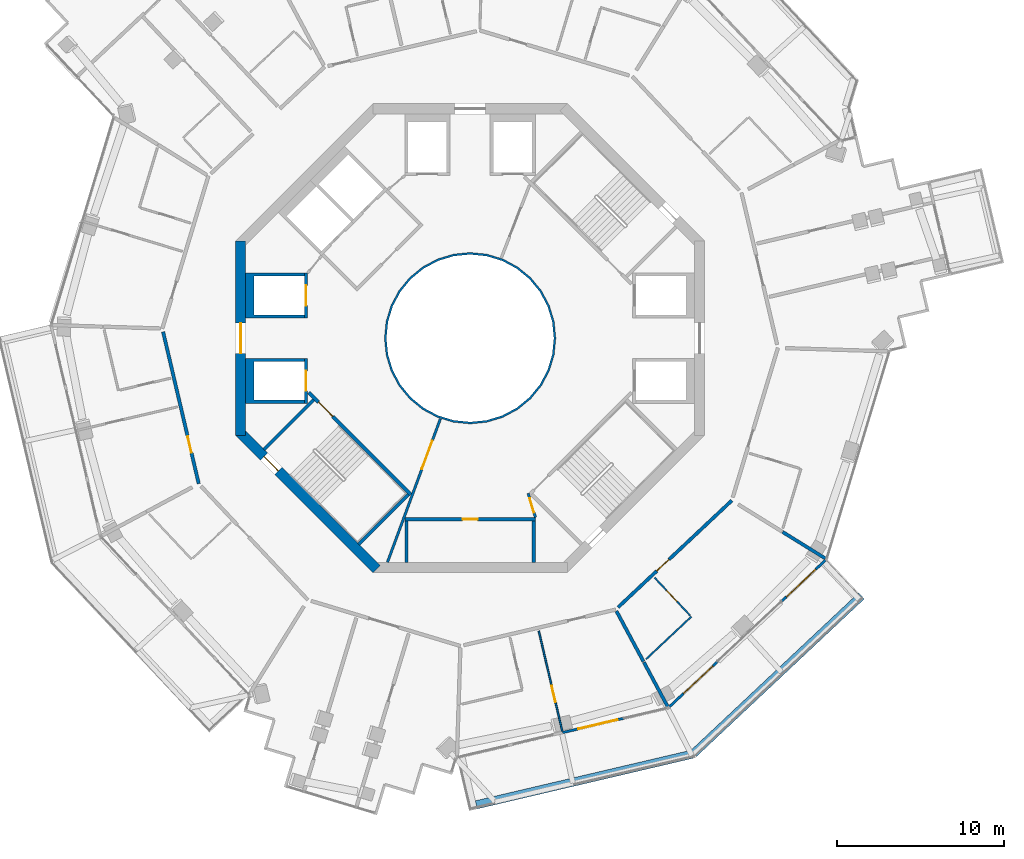
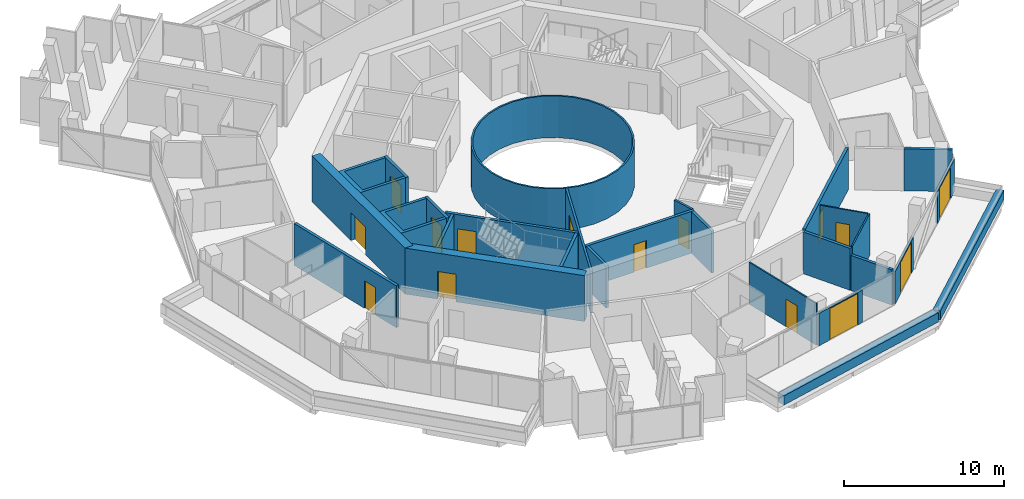
# One storey, part 17 of 24: 28 walls, 15 doors, 15 openings.
"""IFC4 building model written with IfcOpenShell, lengths in metres."""

from ifc_helpers import new_model, si_unit, direction, frame, frame_2d, origin, place, context, subcontext, project, spatial, polyline, rectangle, outline, extrude, material, layer, layer_set, type_object, element, fill, save


model = new_model("IFC4")

# Units and contexts
model_context = context("Model", 3, precision=1e-05, world=origin(), true_north=direction((0.0, 1.0)))
body_context = subcontext(model_context, "Body", "Model", "MODEL_VIEW")
ifc_project = project(units=[si_unit("LENGTHUNIT", "METRE"), si_unit("AREAUNIT", "SQUARE_METRE"), si_unit("VOLUMEUNIT", "CUBIC_METRE"), si_unit("PLANEANGLEUNIT", "RADIAN"), si_unit("MASSUNIT", "GRAM", prefix="KILO")], contexts=[model_context])

# Site, building, storey
site_placement = place(None, origin())
site = spatial("IfcSite", under=ifc_project, at=site_placement, CompositionType="ELEMENT")
building_placement = place(site_placement, origin())
building = spatial("IfcBuilding", under=site, at=building_placement, Name="Verdalira Terraces Hotel", CompositionType="ELEMENT")
storey_placement = place(building_placement, frame((0.0, 0.0, 209.0)))
storey = spatial("IfcBuildingStorey", under=building, at=storey_placement, Name="L51", CompositionType="ELEMENT", Elevation=209.0)

# Walls
ifc_material_1 = material(Name="Fire-resisting glass EI 180", Category="glass")
ifc_layer_1 = layer(ifc_material_1, 0.1201171875)
ifc_layer_set_1 = layer_set([ifc_layer_1], Name="Atrium fire screen 120 mm")
wall_type_1 = type_object("IfcWallType", Name="Atrium fire screen 120 mm", PredefinedType="SOLIDWALL", material=ifc_layer_set_1)
wall_1_placement = place(storey_placement, origin())
element("IfcWall", 1, at=wall_1_placement, inside=storey, type_object=wall_type_1, Name="Atrium fire screen", PredefinedType="SOLIDWALL", context=body_context, shape_type="SweptSolid", body=[
    extrude(outline(polyline([(5.021484, -0.998779), (4.730225, -1.959229), (4.25708, -2.844482), (3.620361, -3.620361), (2.844482, -4.25708), (1.959229, -4.730225), (0.998779, -5.021484), (0.0, -5.120117), (-0.998779, -5.021484), (-1.959229, -4.730225), (-2.844482, -4.25708), (-3.620361, -3.620361), (-4.25708, -2.844482), (-4.730225, -1.959229), (-5.021484, -0.998779), (-5.120117, 0.0), (-5.021484, 0.998779), (-4.730225, 1.959229), (-4.25708, 2.844482), (-3.620361, 3.620361), (-2.844482, 4.25708), (-1.959229, 4.730225), (-0.998779, 5.021484), (0.0, 5.120117), (0.998779, 5.021484), (1.959229, 4.730225), (2.844482, 4.25708), (3.620361, 3.620361), (4.25708, 2.844482), (4.730225, 1.959229), (5.021484, 0.998779), (5.120117, 0.0), (5.021484, -0.998779)]), holes=[polyline([(4.903809, 0.975586), (4.619385, 1.91333), (4.157227, 2.777832), (3.5354, 3.5354), (2.777832, 4.157227), (1.91333, 4.619385), (0.975586, 4.903809), (0.0, 5.0), (-0.975586, 4.903809), (-1.91333, 4.619385), (-2.777832, 4.157227), (-3.5354, 3.5354), (-4.157227, 2.777832), (-4.619385, 1.91333), (-4.903809, 0.975586), (-5.0, 0.0), (-4.903809, -0.975586), (-4.619385, -1.91333), (-4.157227, -2.777832), (-3.5354, -3.5354), (-2.777832, -4.157227), (-1.91333, -4.619385), (-0.975586, -4.903809), (0.0, -5.0), (0.975586, -4.903809), (1.91333, -4.619385), (2.777832, -4.157227), (3.5354, -3.5354), (4.157227, -2.777832), (4.619385, -1.91333), (4.903809, -0.975586), (5.0, 0.0), (4.903809, 0.975586)])]), origin(), (0.0, 0.0, 1.0), 3.189941),
])
ifc_material_2 = material(Name="Concrete C40", Category="concrete")
ifc_layer_2 = layer(ifc_material_2, 0.5)
ifc_layer_set_2 = layer_set([ifc_layer_2], Name="Balcony planter trough with tree")
wall_type_2 = type_object("IfcWallType", Name="Balcony planter trough with tree", PredefinedType="SOLIDWALL", material=ifc_layer_set_2)
wall_2_placement = place(storey_placement, frame((0.371582, -27.859619, 0.0), z_axis=(0.0, 0.0, 1.0), x_axis=(0.973579637, 0.228347739, 0.0)))
element("IfcWall", 2, at=wall_2_placement, inside=storey, type_object=wall_type_2, Name="Balcony planter", PredefinedType="SOLIDWALL", context=body_context, shape_type="SweptSolid", body=[
    extrude(rectangle(XDim=13.223389, YDim=0.5, at=frame_2d((6.611816, 0.0))), origin(), (0.0, 0.0, 1.0), 0.699951),
])
wall_3_placement = place(storey_placement, frame((13.359619, -24.778809, 0.0), z_axis=(0.0, 0.0, 1.0), x_axis=(0.728977188, 0.68453799, 0.0)))
element("IfcWall", 3, at=wall_3_placement, inside=storey, type_object=wall_type_2, Name="Balcony planter", PredefinedType="SOLIDWALL", context=body_context, shape_type="SweptSolid", body=[
    extrude(rectangle(XDim=13.723633, YDim=0.5, at=frame_2d((6.861816, 0.0))), origin(), (0.0, 0.0, 1.0), 0.699951),
])

# Wall, opening, door
ifc_material_3 = material(Name="Moisture-resistant gypsum board partition")
ifc_layer_3 = layer(ifc_material_3, 0.10009765625)
ifc_layer_set_3 = layer_set([ifc_layer_3], Name="Bathroom partition 100 mm")
wall_type_3 = type_object("IfcWallType", Name="Bathroom partition 100 mm", PredefinedType="PARTITIONING", material=ifc_layer_set_3)
wall_4_placement = place(storey_placement, frame((5.505127, -23.471436, 0.0), z_axis=(0.0, 0.0, 1.0), x_axis=(-0.228340078, 0.973581434, 0.0)))
wall_4 = element("IfcWall", 4, at=wall_4_placement, inside=storey, type_object=wall_type_3, Name="Bathroom partition", PredefinedType="PARTITIONING", context=body_context, shape_type="SweptSolid", body=[
    extrude(rectangle(XDim=6.149902, YDim=0.100098, at=frame_2d((3.074951, 0.0))), origin(), (0.0, 0.0, 1.0), 3.189941),
])
opening_1_placement = place(wall_4_placement, frame((1.800049, 0.0, 0.0)))
opening_1 = element("IfcOpeningElement", 5, at=opening_1_placement, cuts=wall_4, Name="Opening L51-117", PredefinedType="OPENING", context=body_context, shape_type="SweptSolid", body=[
    extrude(rectangle(XDim=1.0, YDim=2.100098, at=frame_2d((0.5, 1.050049))), frame((0.0, 0.060059, 0.0), z_axis=(0.0, -1.0, 0.0), x_axis=(1.0, 0.0, 0.0)), (0.0, 0.0, 1.0), 0.120117),
])
ifc_material_4 = material(Name="Timber door", Category="wood")
door_type_1 = type_object("IfcDoorType", Name="Suite internal door 1000 x 2100", OperationType="NOTDEFINED", PredefinedType="DOOR", material=ifc_material_4)
door_1_placement = place(opening_1_placement, origin())
door_1 = element("IfcDoor", 6, at=door_1_placement, inside=storey, type_object=door_type_1, Name="Suite internal door 5107", OperationType="SINGLE_SWING_LEFT", OverallHeight=2.10009765625, OverallWidth=1.0, PredefinedType="DOOR", context=body_context, shape_type="SweptSolid", body=[
    extrude(rectangle(XDim=1.0, YDim=2.100098, at=frame_2d((0.5, 1.050049))), frame((0.0, 0.024902, 0.0), z_axis=(0.0, -1.0, 0.0), x_axis=(1.0, 0.0, 0.0)), (0.0, 0.0, 1.0), 0.050049),
])
fill(opening_1, door_1)

# Wall
wall_5_placement = place(storey_placement, frame((13.202148, -16.627441, 0.0), z_axis=(0.0, 0.0, 1.0), x_axis=(-0.728969657, -0.684546009, 0.0)))
element("IfcWall", 7, at=wall_5_placement, inside=storey, type_object=wall_type_3, Name="Bathroom partition", PredefinedType="PARTITIONING", context=body_context, shape_type="SweptSolid", body=[
    extrude(rectangle(XDim=3.704102, YDim=0.100098, at=frame_2d((1.852051, 0.0))), origin(), (0.0, 0.0, 1.0), 3.189941),
])

# Wall, opening, door
wall_6_placement = place(storey_placement, frame((13.133789, -16.554443, 0.0), z_axis=(0.0, 0.0, 1.0), x_axis=(-0.684548673, 0.728967156, 0.0)))
wall_6 = element("IfcWall", 8, at=wall_6_placement, inside=storey, type_object=wall_type_3, Name="Bathroom partition", PredefinedType="PARTITIONING", context=body_context, shape_type="SweptSolid", body=[
    extrude(rectangle(XDim=3.099854, YDim=0.100098, at=frame_2d((1.549805, 0.0))), origin(), (0.0, 0.0, 1.0), 3.189941),
])
opening_2_placement = place(wall_6_placement, frame((1.149902, 0.0, 0.0)))
opening_2 = element("IfcOpeningElement", 9, at=opening_2_placement, cuts=wall_6, Name="Opening L51-120", PredefinedType="OPENING", context=body_context, shape_type="SweptSolid", body=[
    extrude(rectangle(XDim=0.899902, YDim=2.100098, at=frame_2d((0.449951, 1.050049))), frame((0.0, 0.060059, 0.0), z_axis=(0.0, -1.0, 0.0), x_axis=(1.0, 0.0, 0.0)), (0.0, 0.0, 1.0), 0.120117),
])
ifc_material_5 = material(Name="Timber door", Category="wood")
door_type_2 = type_object("IfcDoorType", Name="Bathroom door 900 x 2100", OperationType="NOTDEFINED", PredefinedType="DOOR", material=ifc_material_5)
door_2_placement = place(opening_2_placement, origin())
door_2 = element("IfcDoor", 10, at=door_2_placement, inside=storey, type_object=door_type_2, Name="Bathroom door 5108", OperationType="SINGLE_SWING_LEFT", OverallHeight=2.10009765625, OverallWidth=0.89990234375, PredefinedType="DOOR", context=body_context, shape_type="SweptSolid", body=[
    extrude(rectangle(XDim=0.899902, YDim=2.100098, at=frame_2d((0.449951, 1.050049))), frame((0.0, 0.024902, 0.0), z_axis=(0.0, -1.0, 0.0), x_axis=(1.0, 0.0, 0.0)), (0.0, 0.0, 1.0), 0.050049),
])
fill(opening_2, door_2)

# Wall
ifc_material_6 = material(Name="Concrete C50", Category="concrete")
ifc_layer_4 = layer(ifc_material_6, 0.199951171875)
ifc_layer_set_4 = layer_set([ifc_layer_4], Name="Core RC wall 200 C50")
wall_type_4 = type_object("IfcWallType", Name="Core RC wall 200 C50", PredefinedType="SOLIDWALL", material=ifc_layer_set_4)
wall_7_placement = place(storey_placement, origin())
element("IfcWall", 11, at=wall_7_placement, inside=storey, type_object=wall_type_4, Name="L51 shaft wall W1", PredefinedType="SOLIDWALL", context=body_context, shape_type="SweptSolid", body=[
    extrude(outline(polyline([(-13.399902, 3.899902), (-9.899902, 3.899902), (-9.899902, 3.699951), (-12.899902, 3.699951), (-12.899902, 1.399902), (-9.899902, 1.399902), (-9.899902, 1.199951), (-13.399902, 1.199951), (-13.399902, 3.899902)])), origin(), (0.0, 0.0, 1.0), 3.189941),
])

# Wall, opening, door
wall_8_placement = place(storey_placement, frame((-9.800049, 1.199951, 0.0), z_axis=(0.0, 0.0, 1.0), x_axis=(0.0, 1.0, 0.0)))
wall_8 = element("IfcWall", 12, at=wall_8_placement, inside=storey, type_object=wall_type_4, Name="L51 shaft front wall W1", PredefinedType="SOLIDWALL", context=body_context, shape_type="SweptSolid", body=[
    extrude(rectangle(XDim=2.699951, YDim=0.199951, at=frame_2d((1.350098, 0.0))), origin(), (0.0, 0.0, 1.0), 3.189941),
])
opening_3_placement = place(wall_8_placement, frame((0.75, 0.0, 0.0)))
opening_3 = element("IfcOpeningElement", 13, at=opening_3_placement, cuts=wall_8, Name="Opening LD-L51-806", PredefinedType="OPENING", context=body_context, shape_type="SweptSolid", body=[
    extrude(rectangle(XDim=1.199951, YDim=2.100098, at=frame_2d((0.600098, 1.050049))), frame((0.0, 0.109863, 0.0), z_axis=(0.0, -1.0, 0.0), x_axis=(1.0, 0.0, 0.0)), (0.0, 0.0, 1.0), 0.219971),
])
ifc_material_7 = material(Name="Stainless steel", Category="steel")
door_type_3 = type_object("IfcDoorType", Name="Landing door 1200 x 2100", OperationType="NOTDEFINED", PredefinedType="DOOR", material=ifc_material_7)
door_3_placement = place(opening_3_placement, origin())
door_3 = element("IfcDoor", 14, at=door_3_placement, inside=storey, type_object=door_type_3, Name="Lift landing door HR5 L51", OperationType="DOUBLE_DOOR_SLIDING", OverallHeight=2.10009765625, OverallWidth=1.199951171875, PredefinedType="DOOR", context=body_context, shape_type="SweptSolid", body=[
    extrude(rectangle(XDim=1.199951, YDim=2.100098, at=frame_2d((0.600098, 1.050049))), frame((0.0, 0.024902, 0.0), z_axis=(0.0, -1.0, 0.0), x_axis=(1.0, 0.0, 0.0)), (0.0, 0.0, 1.0), 0.050049),
])
fill(opening_3, door_3)

# Wall
wall_9_placement = place(storey_placement, origin())
element("IfcWall", 15, at=wall_9_placement, inside=storey, type_object=wall_type_4, Name="L51 shaft wall W2", PredefinedType="SOLIDWALL", context=body_context, shape_type="SweptSolid", body=[
    extrude(outline(polyline([(-13.399902, -3.899902), (-13.399902, -1.199951), (-9.899902, -1.199951), (-9.899902, -1.399902), (-12.899902, -1.399902), (-12.899902, -3.699951), (-9.899902, -3.699951), (-9.899902, -3.899902), (-13.399902, -3.899902)])), origin(), (0.0, 0.0, 1.0), 3.189941),
])

# Wall, opening, door
wall_10_placement = place(storey_placement, frame((-9.800049, -1.199951, 0.0), z_axis=(0.0, 0.0, 1.0), x_axis=(0.0, -1.0, 0.0)))
wall_10 = element("IfcWall", 16, at=wall_10_placement, inside=storey, type_object=wall_type_4, Name="L51 shaft front wall W2", PredefinedType="SOLIDWALL", context=body_context, shape_type="SweptSolid", body=[
    extrude(rectangle(XDim=2.699951, YDim=0.199951, at=frame_2d((1.350098, 0.0))), origin(), (0.0, 0.0, 1.0), 3.189941),
])
opening_4_placement = place(wall_10_placement, frame((0.75, 0.0, 0.0)))
opening_4 = element("IfcOpeningElement", 17, at=opening_4_placement, cuts=wall_10, Name="Opening LD-L51-807", PredefinedType="OPENING", context=body_context, shape_type="SweptSolid", body=[
    extrude(rectangle(XDim=1.199951, YDim=2.100098, at=frame_2d((0.600098, 1.050049))), frame((0.0, 0.109863, 0.0), z_axis=(0.0, -1.0, 0.0), x_axis=(1.0, 0.0, 0.0)), (0.0, 0.0, 1.0), 0.219971),
])
door_4_placement = place(opening_4_placement, origin())
door_4 = element("IfcDoor", 18, at=door_4_placement, inside=storey, type_object=door_type_3, Name="Lift landing door HR6 L51", OperationType="DOUBLE_DOOR_SLIDING", OverallHeight=2.10009765625, OverallWidth=1.199951171875, PredefinedType="DOOR", context=body_context, shape_type="SweptSolid", body=[
    extrude(rectangle(XDim=1.199951, YDim=2.100098, at=frame_2d((0.600098, 1.050049))), frame((0.0, 0.024902, 0.0), z_axis=(0.0, -1.0, 0.0), x_axis=(1.0, 0.0, 0.0)), (0.0, 0.0, 1.0), 0.050049),
])
fill(opening_4, door_4)

wall_11_placement = place(storey_placement, frame((-3.899902, -10.800049, 0.0), z_axis=(0.0, 0.0, 1.0), x_axis=(1.0, 0.0, 0.0)))
wall_11 = element("IfcWall", 19, at=wall_11_placement, inside=storey, type_object=wall_type_4, Name="L51 store front wall", PredefinedType="SOLIDWALL", context=body_context, shape_type="SweptSolid", body=[
    extrude(rectangle(XDim=7.799805, YDim=0.199951, at=frame_2d((3.899902, 0.0))), origin(), (0.0, 0.0, 1.0), 3.189941),
])
opening_5_placement = place(wall_11_placement, frame((3.449951, 0.0, 0.0)))
opening_5 = element("IfcOpeningElement", 20, at=opening_5_placement, cuts=wall_11, Name="Opening L51-801", PredefinedType="OPENING", context=body_context, shape_type="SweptSolid", body=[
    extrude(rectangle(XDim=0.899902, YDim=2.100098, at=frame_2d((0.449951, 1.050049))), frame((0.0, 0.109863, 0.0), z_axis=(0.0, -1.0, 0.0), x_axis=(1.0, 0.0, 0.0)), (0.0, 0.0, 1.0), 0.219971),
])
ifc_material_8 = material(Name="Steel fire door", Category="steel")
door_type_4 = type_object("IfcDoorType", Name="Core room door 900 x 2100", OperationType="NOTDEFINED", PredefinedType="DOOR", material=ifc_material_8)
door_5_placement = place(opening_5_placement, origin())
door_5 = element("IfcDoor", 21, at=door_5_placement, inside=storey, type_object=door_type_4, Name="Store door L51 SS", OperationType="SINGLE_SWING_LEFT", OverallHeight=2.10009765625, OverallWidth=0.89990234375, PredefinedType="DOOR", context=body_context, shape_type="SweptSolid", body=[
    extrude(rectangle(XDim=0.899902, YDim=2.100098, at=frame_2d((0.449951, 1.050049))), frame((0.0, 0.024902, 0.0), z_axis=(0.0, -1.0, 0.0), x_axis=(1.0, 0.0, 0.0)), (0.0, 0.0, 1.0), 0.050049),
])
fill(opening_5, door_5)

# Walls
for number, where, z_axis, x_axis, name in (
    (22, (-3.800049, -10.899902, 0.0), (0.0, 0.0, 1.0), (0.0, -1.0, 0.0), "L51 store side wall"),
    (23, (3.800049, -10.899902, 0.0), (0.0, 0.0, 1.0), (0.0, -1.0, 0.0), "L51 store side wall"),
):
    element("IfcWall", number, at=place(storey_placement, frame(where, z_axis=z_axis, x_axis=x_axis)), inside=storey, type_object=wall_type_4, Name=name, PredefinedType="SOLIDWALL", context=body_context, shape_type="SweptSolid", body=[
        extrude(rectangle(XDim=2.5, YDim=0.199951, at=frame_2d((1.25, 0.0))), origin(), (0.0, 0.0, 1.0), 3.189941),
    ])

# Wall, opening, door
wall_12_placement = place(storey_placement, frame((-3.5354, -9.33374, 0.0), z_axis=(0.0, 0.0, 1.0), x_axis=(-0.707120946, 0.707092617, 0.0)))
wall_12 = element("IfcWall", 24, at=wall_12_placement, inside=storey, type_object=wall_type_4, Name="L51 stair ST2 front wall", PredefinedType="SOLIDWALL", context=body_context, shape_type="SweptSolid", body=[
    extrude(rectangle(XDim=8.61792, YDim=0.199951, at=frame_2d((4.309082, 0.0))), origin(), (0.0, 0.0, 1.0), 3.189941),
])
opening_6_placement = place(wall_12_placement, frame((6.600098, 0.0, 0.0)))
opening_6 = element("IfcOpeningElement", 25, at=opening_6_placement, cuts=wall_12, Name="Opening L51-811", PredefinedType="OPENING", context=body_context, shape_type="SweptSolid", body=[
    extrude(rectangle(XDim=1.199951, YDim=2.100098, at=frame_2d((0.600098, 1.050049))), frame((0.0, 0.109863, 0.0), z_axis=(0.0, -1.0, 0.0), x_axis=(1.0, 0.0, 0.0)), (0.0, 0.0, 1.0), 0.219971),
])
ifc_material_9 = material(Name="Steel fire door", Category="steel")
door_type_5 = type_object("IfcDoorType", Name="Stair door 1200 x 2100", OperationType="NOTDEFINED", PredefinedType="DOOR", material=ifc_material_9)
door_6_placement = place(opening_6_placement, origin())
door_6 = element("IfcDoor", 26, at=door_6_placement, inside=storey, type_object=door_type_5, Name="Stair door ST2 L51", OperationType="SINGLE_SWING_RIGHT", OverallHeight=2.10009765625, OverallWidth=1.199951171875, PredefinedType="DOOR", context=body_context, shape_type="SweptSolid", body=[
    extrude(rectangle(XDim=1.199951, YDim=2.100098, at=frame_2d((0.600098, 1.050049))), frame((0.0, 0.024902, 0.0), z_axis=(0.0, -1.0, 0.0), x_axis=(1.0, 0.0, 0.0)), (0.0, 0.0, 1.0), 0.050049),
])
fill(opening_6, door_6)

# Walls
for number, where, z_axis, x_axis, name in (
    (27, (-9.33374, -3.677002, 0.0), (0.0, 0.0, 1.0), (-0.707135845, -0.707077716, 0.0), "L51 stair ST2 end wall 1"),
    (28, (-3.677002, -9.33374, 0.0), (0.0, 0.0, 1.0), (-0.707077716, -0.707135845, 0.0), "L51 stair ST2 end wall 2"),
):
    element("IfcWall", number, at=place(storey_placement, frame(where, z_axis=z_axis, x_axis=x_axis)), inside=storey, type_object=wall_type_4, Name=name, PredefinedType="SOLIDWALL", context=body_context, shape_type="SweptSolid", body=[
        extrude(rectangle(XDim=4.199951, YDim=0.199951, at=frame_2d((2.100098, 0.0))), origin(), (0.0, 0.0, 1.0), 3.189941),
    ])

# Wall, opening, door
ifc_material_10 = material(Name="Gypsum board partition")
ifc_layer_5 = layer(ifc_material_10, 0.14990234375)
ifc_layer_set_5 = layer_set([ifc_layer_5], Name="Core partition 150 mm")
wall_type_5 = type_object("IfcWallType", Name="Core partition 150 mm", PredefinedType="PARTITIONING", material=ifc_layer_set_5)
wall_13_placement = place(storey_placement, frame((3.899902, -10.699951, 0.0), z_axis=(0.0, 0.0, 1.0), x_axis=(-0.289808785, 0.957084567, 0.0)))
wall_13 = element("IfcWall", 29, at=wall_13_placement, inside=storey, type_object=wall_type_5, Name="Room partition L51", PredefinedType="PARTITIONING", context=body_context, shape_type="SweptSolid", body=[
    extrude(rectangle(XDim=1.501221, YDim=0.149902, at=frame_2d((0.750488, 0.0))), origin(), (0.0, 0.0, 1.0), 3.189941),
])
opening_7_placement = place(wall_13_placement, frame((0.300781, 0.0, 0.0)))
opening_7 = element("IfcOpeningElement", 30, at=opening_7_placement, cuts=wall_13, Name="Opening L51-822", PredefinedType="OPENING", context=body_context, shape_type="SweptSolid", body=[
    extrude(rectangle(XDim=0.899902, YDim=2.100098, at=frame_2d((0.449951, 1.050049))), frame((0.0, 0.084961, 0.0), z_axis=(0.0, -1.0, 0.0), x_axis=(1.0, 0.0, 0.0)), (0.0, 0.0, 1.0), 0.169922),
])
door_7_placement = place(opening_7_placement, origin())
door_7 = element("IfcDoor", 31, at=door_7_placement, inside=storey, type_object=door_type_4, Name="Door L51 room6", OperationType="SINGLE_SWING_LEFT", OverallHeight=2.10009765625, OverallWidth=0.89990234375, PredefinedType="DOOR", context=body_context, shape_type="SweptSolid", body=[
    extrude(rectangle(XDim=0.899902, YDim=2.100098, at=frame_2d((0.449951, 1.050049))), frame((0.0, 0.024902, 0.0), z_axis=(0.0, -1.0, 0.0), x_axis=(1.0, 0.0, 0.0)), (0.0, 0.0, 1.0), 0.050049),
])
fill(opening_7, door_7)

wall_14_placement = place(storey_placement, frame((-1.775635, -4.812988, 0.0), z_axis=(0.0, 0.0, 1.0), x_axis=(-0.346112108, -0.938193162, 0.0)))
wall_14 = element("IfcWall", 32, at=wall_14_placement, inside=storey, type_object=wall_type_5, Name="Gallery fire partition L51", PredefinedType="PARTITIONING", context=body_context, shape_type="SweptSolid", body=[
    extrude(rectangle(XDim=9.122803, YDim=0.149902, at=frame_2d((4.561523, 0.0))), origin(), (0.0, 0.0, 1.0), 3.189941),
])
opening_8_placement = place(wall_14_placement, frame((1.399902, 0.0, 0.0)))
opening_8 = element("IfcOpeningElement", 33, at=opening_8_placement, cuts=wall_14, Name="Opening L51-824", PredefinedType="OPENING", context=body_context, shape_type="SweptSolid", body=[
    extrude(rectangle(XDim=1.800049, YDim=2.100098, at=frame_2d((0.899902, 1.050049))), frame((0.0, 0.084961, 0.0), z_axis=(0.0, -1.0, 0.0), x_axis=(1.0, 0.0, 0.0)), (0.0, 0.0, 1.0), 0.169922),
])
ifc_material_11 = material(Name="Steel fire door", Category="steel")
door_type_6 = type_object("IfcDoorType", Name="Gallery fire door pair 1800 x 2100", OperationType="NOTDEFINED", PredefinedType="DOOR", material=ifc_material_11)
door_8_placement = place(opening_8_placement, origin())
door_8 = element("IfcDoor", 34, at=door_8_placement, inside=storey, type_object=door_type_6, Name="Door L51 split5", OperationType="DOUBLE_DOOR_SINGLE_SWING", OverallHeight=2.10009765625, OverallWidth=1.800048828125, PredefinedType="DOOR", context=body_context, shape_type="SweptSolid", body=[
    extrude(rectangle(XDim=1.800049, YDim=2.100098, at=frame_2d((0.899902, 1.050049))), frame((0.0, 0.024902, 0.0), z_axis=(0.0, -1.0, 0.0), x_axis=(1.0, 0.0, 0.0)), (0.0, 0.0, 1.0), 0.050049),
])
fill(opening_8, door_8)

ifc_material_12 = material(Name="Concrete C60", Category="concrete")
ifc_layer_6 = layer(ifc_material_12, 0.60009765625)
ifc_layer_set_6 = layer_set([ifc_layer_6], Name="Core wall 600 C60")
wall_type_6 = type_object("IfcWallType", Name="Core wall 600 C60", PredefinedType="SHEAR", material=ifc_layer_set_6)
wall_15_placement = place(storey_placement, frame((-13.699951, 5.799072, 0.0), z_axis=(0.0, 0.0, 1.0), x_axis=(0.0, -1.0, 0.0)))
wall_15 = element("IfcWall", 35, at=wall_15_placement, inside=storey, type_object=wall_type_6, Name="Core wall CW-L51-5", PredefinedType="SHEAR", context=body_context, shape_type="SweptSolid", body=[
    extrude(rectangle(XDim=11.598145, YDim=0.600098, at=frame_2d((5.799072, 0.0))), origin(), (0.0, 0.0, 1.0), 3.5),
])
opening_9_placement = place(wall_15_placement, frame((4.898926, 0.0, 0.0)))
opening_9 = element("IfcOpeningElement", 36, at=opening_9_placement, cuts=wall_15, Name="Opening L51-815", PredefinedType="OPENING", context=body_context, shape_type="SweptSolid", body=[
    extrude(rectangle(XDim=1.800049, YDim=2.100098, at=frame_2d((0.899902, 1.050049))), frame((0.0, 0.310059, 0.0), z_axis=(0.0, -1.0, 0.0), x_axis=(1.0, 0.0, 0.0)), (0.0, 0.0, 1.0), 0.620117),
])
ifc_material_13 = material(Name="Steel fire door", Category="steel")
door_type_7 = type_object("IfcDoorType", Name="Core entry door pair 1800 x 2100", OperationType="NOTDEFINED", PredefinedType="DOOR", material=ifc_material_13)
door_9_placement = place(opening_9_placement, origin())
door_9 = element("IfcDoor", 37, at=door_9_placement, inside=storey, type_object=door_type_7, Name="Core entry door L51 4", OperationType="DOUBLE_DOOR_SINGLE_SWING", OverallHeight=2.10009765625, OverallWidth=1.800048828125, PredefinedType="DOOR", context=body_context, shape_type="SweptSolid", body=[
    extrude(rectangle(XDim=1.800049, YDim=2.100098, at=frame_2d((0.899902, 1.050049))), frame((0.0, 0.024902, 0.0), z_axis=(0.0, -1.0, 0.0), x_axis=(1.0, 0.0, 0.0)), (0.0, 0.0, 1.0), 0.050049),
])
fill(opening_9, door_9)

wall_16_placement = place(storey_placement, frame((-13.787842, -5.586914, 0.0), z_axis=(0.0, 0.0, 1.0), x_axis=(0.707106781, -0.707106781, 0.0)))
wall_16 = element("IfcWall", 38, at=wall_16_placement, inside=storey, type_object=wall_type_6, Name="Core wall CW-L51-6", PredefinedType="SHEAR", context=body_context, shape_type="SweptSolid", body=[
    extrude(rectangle(XDim=11.5979, YDim=0.600098, at=frame_2d((5.798828, 0.0))), origin(), (0.0, 0.0, 1.0), 3.5),
])
opening_10_placement = place(wall_16_placement, frame((2.099121, 0.0, 0.0)))
opening_10 = element("IfcOpeningElement", 39, at=opening_10_placement, cuts=wall_16, Name="Opening L51-817", PredefinedType="OPENING", context=body_context, shape_type="SweptSolid", body=[
    extrude(rectangle(XDim=1.199951, YDim=2.100098, at=frame_2d((0.600098, 1.050049))), frame((0.0, 0.310059, 0.0), z_axis=(0.0, -1.0, 0.0), x_axis=(1.0, 0.0, 0.0)), (0.0, 0.0, 1.0), 0.620117),
])
door_10_placement = place(opening_10_placement, origin())
door_10 = element("IfcDoor", 40, at=door_10_placement, inside=storey, type_object=door_type_5, Name="Stair exit door ST2 L51", OperationType="SINGLE_SWING_LEFT", OverallHeight=2.10009765625, OverallWidth=1.199951171875, PredefinedType="DOOR", context=body_context, shape_type="SweptSolid", body=[
    extrude(rectangle(XDim=1.199951, YDim=2.100098, at=frame_2d((0.600098, 1.050049))), frame((0.0, 0.024902, 0.0), z_axis=(0.0, -1.0, 0.0), x_axis=(1.0, 0.0, 0.0)), (0.0, 0.0, 1.0), 0.050049),
])
fill(opening_10, door_10)

# Walls
ifc_material_14 = material(Name="Fire-rated gypsum board wall")
ifc_layer_7 = layer(ifc_material_14, 0.199951171875)
ifc_layer_set_7 = layer_set([ifc_layer_7], Name="Demising wall 200 mm")
wall_type_7 = type_object("IfcWallType", Name="Demising wall 200 mm", PredefinedType="SOLIDWALL", material=ifc_layer_set_7)
wall_17_placement = place(storey_placement, frame((8.736816, -16.293701, 0.0), z_axis=(0.0, 0.0, 1.0), x_axis=(0.472514711, -0.881322783, 0.0)))
element("IfcWall", 41, at=wall_17_placement, inside=storey, type_object=wall_type_7, Name="Demising wall", PredefinedType="SOLIDWALL", context=body_context, shape_type="SweptSolid", body=[
    extrude(rectangle(XDim=3.418457, YDim=0.199951, at=frame_2d((1.709229, 0.0))), origin(), (0.0, 0.0, 1.0), 3.189941),
])
wall_18_placement = place(storey_placement, frame((18.657471, -11.568115, 0.0), z_axis=(0.0, 0.0, 1.0), x_axis=(0.849919394, -0.526912729, 0.0)))
element("IfcWall", 42, at=wall_18_placement, inside=storey, type_object=wall_type_7, Name="Demising wall", PredefinedType="SOLIDWALL", context=body_context, shape_type="SweptSolid", body=[
    extrude(rectangle(XDim=3.01123, YDim=0.199951, at=frame_2d((1.505615, 0.0))), origin(), (0.0, 0.0, 1.0), 3.189941),
])
ifc_material_15 = material(Name="Fire-rated gypsum board wall")
ifc_layer_8 = layer(ifc_material_15, 0.199951171875)
ifc_layer_set_8 = layer_set([ifc_layer_8], Name="Demising wall 200 mm to beam soffit")
wall_type_8 = type_object("IfcWallType", Name="Demising wall 200 mm to beam soffit", PredefinedType="SOLIDWALL", material=ifc_layer_set_8)
wall_19_placement = place(storey_placement, frame((10.373779, -19.346924, 0.0), z_axis=(0.0, 0.0, 1.0), x_axis=(0.472552084, -0.881302745, 0.0)))
element("IfcWall", 43, at=wall_19_placement, inside=storey, type_object=wall_type_8, Name="Demising wall", PredefinedType="SOLIDWALL", context=body_context, shape_type="SweptSolid", body=[
    extrude(rectangle(XDim=3.011475, YDim=0.199951, at=frame_2d((1.505859, 0.0))), origin(), (0.0, 0.0, 1.0), 2.689941),
])

# Wall, opening, door
ifc_material_16 = material(Name="Fire-rated gypsum board wall")
ifc_layer_9 = layer(ifc_material_16, 0.199951171875)
ifc_layer_set_9 = layer_set([ifc_layer_9], Name="Guest corridor wall 200 mm")
wall_type_9 = type_object("IfcWallType", Name="Guest corridor wall 200 mm", PredefinedType="SOLIDWALL", material=ifc_layer_set_9)
wall_20_placement = place(storey_placement, frame((-16.202637, -8.687744, 0.0), z_axis=(0.0, 0.0, 1.0), x_axis=(-0.228346959, 0.97357982, 0.0)))
wall_20 = element("IfcWall", 44, at=wall_20_placement, inside=storey, type_object=wall_type_9, Name="Guest corridor wall", PredefinedType="SOLIDWALL", context=body_context, shape_type="SweptSolid", body=[
    extrude(rectangle(XDim=9.31665, YDim=0.199951, at=frame_2d((4.658203, 0.0))), origin(), (0.0, 0.0, 1.0), 3.189941),
])
opening_11_placement = place(wall_20_placement, frame((1.899902, 0.0, 0.0)))
opening_11 = element("IfcOpeningElement", 45, at=opening_11_placement, cuts=wall_20, Name="Opening L51-108", PredefinedType="OPENING", context=body_context, shape_type="SweptSolid", body=[
    extrude(rectangle(XDim=1.0, YDim=2.100098, at=frame_2d((0.5, 1.050049))), frame((0.0, 0.109863, 0.0), z_axis=(0.0, -1.0, 0.0), x_axis=(1.0, 0.0, 0.0)), (0.0, 0.0, 1.0), 0.219971),
])
ifc_material_17 = material(Name="Timber fire door", Category="wood")
door_type_8 = type_object("IfcDoorType", Name="Guest entry door 1000 x 2100", OperationType="NOTDEFINED", PredefinedType="DOOR", material=ifc_material_17)
door_11_placement = place(opening_11_placement, origin())
door_11 = element("IfcDoor", 46, at=door_11_placement, inside=storey, type_object=door_type_8, Name="Guest entry door 5104", OperationType="SINGLE_SWING_LEFT", OverallHeight=2.10009765625, OverallWidth=1.0, PredefinedType="DOOR", context=body_context, shape_type="SweptSolid", body=[
    extrude(rectangle(XDim=1.0, YDim=2.100098, at=frame_2d((0.5, 1.050049))), frame((0.0, 0.024902, 0.0), z_axis=(0.0, -1.0, 0.0), x_axis=(1.0, 0.0, 0.0)), (0.0, 0.0, 1.0), 0.050049),
])
fill(opening_11, door_11)

wall_21_placement = place(storey_placement, frame((15.625, -9.687988, 0.0), z_axis=(0.0, 0.0, 1.0), x_axis=(-0.728966545, -0.684549323, 0.0)))
wall_21 = element("IfcWall", 47, at=wall_21_placement, inside=storey, type_object=wall_type_9, Name="Guest corridor wall", PredefinedType="SOLIDWALL", context=body_context, shape_type="SweptSolid", body=[
    extrude(rectangle(XDim=9.31665, YDim=0.199951, at=frame_2d((4.658203, 0.0))), origin(), (0.0, 0.0, 1.0), 3.189941),
])
opening_12_placement = place(wall_21_placement, frame((5.149902, 0.0, 0.0)))
opening_12 = element("IfcOpeningElement", 48, at=opening_12_placement, cuts=wall_21, Name="Opening L51-119", PredefinedType="OPENING", context=body_context, shape_type="SweptSolid", body=[
    extrude(rectangle(XDim=1.0, YDim=2.100098, at=frame_2d((0.5, 1.050049))), frame((0.0, 0.109863, 0.0), z_axis=(0.0, -1.0, 0.0), x_axis=(1.0, 0.0, 0.0)), (0.0, 0.0, 1.0), 0.219971),
])
door_12_placement = place(opening_12_placement, origin())
door_12 = element("IfcDoor", 49, at=door_12_placement, inside=storey, type_object=door_type_8, Name="Guest entry door 5108", OperationType="SINGLE_SWING_LEFT", OverallHeight=2.10009765625, OverallWidth=1.0, PredefinedType="DOOR", context=body_context, shape_type="SweptSolid", body=[
    extrude(rectangle(XDim=1.0, YDim=2.100098, at=frame_2d((0.5, 1.050049))), frame((0.0, 0.024902, 0.0), z_axis=(0.0, -1.0, 0.0), x_axis=(1.0, 0.0, 0.0)), (0.0, 0.0, 1.0), 0.050049),
])
fill(opening_12, door_12)

ifc_material_18 = material(Name="Terracotta cladding", Category="masonry")
ifc_layer_10 = layer(ifc_material_18, 0.14990234375)
ifc_layer_set_10 = layer_set([ifc_layer_10], Name="Terracotta door pier 150")
wall_type_10 = type_object("IfcWallType", Name="Terracotta door pier 150", PredefinedType="SOLIDWALL", material=ifc_layer_set_10)
wall_22_placement = place(storey_placement, frame((5.522217, -23.544434, 0.0), z_axis=(0.0, 0.0, 1.0), x_axis=(0.973578668, 0.228351874, 0.0)))
wall_22 = element("IfcWall", 50, at=wall_22_placement, inside=storey, type_object=wall_type_10, Name="Terracotta door pier", PredefinedType="SOLIDWALL", context=body_context, shape_type="SweptSolid", body=[
    extrude(rectangle(XDim=3.76123, YDim=0.149902, at=frame_2d((1.880615, 0.0))), origin(), (0.0, 0.0, 1.0), 2.475098),
])
opening_13_placement = place(wall_22_placement, frame((0.961182, 0.0, 0.0)))
opening_13 = element("IfcOpeningElement", 51, at=opening_13_placement, cuts=wall_22, Name="Opening L51-B06", PredefinedType="OPENING", context=body_context, shape_type="SweptSolid", body=[
    extrude(rectangle(XDim=2.399902, YDim=2.399902, at=frame_2d((1.199951, 1.199951))), frame((0.0, 0.084961, 0.0), z_axis=(0.0, -1.0, 0.0), x_axis=(1.0, 0.0, 0.0)), (0.0, 0.0, 1.0), 0.169922),
])
ifc_material_19 = material(Name="Clear glass", Category="glass")
door_type_9 = type_object("IfcDoorType", Name="Balcony sliding door 2400x2400", OperationType="NOTDEFINED", PredefinedType="DOOR", material=ifc_material_19)
door_13_placement = place(opening_13_placement, origin())
door_13 = element("IfcDoor", 52, at=door_13_placement, inside=storey, type_object=door_type_9, Name="Balcony sliding door", OperationType="SLIDING_TO_LEFT", OverallHeight=2.39990234375, OverallWidth=2.39990234375, PredefinedType="DOOR", context=body_context, shape_type="SweptSolid", body=[
    extrude(rectangle(XDim=2.399902, YDim=2.399902, at=frame_2d((1.199951, 1.199951))), frame((0.0, 0.024902, 0.0), z_axis=(0.0, -1.0, 0.0), x_axis=(1.0, 0.0, 0.0)), (0.0, 0.0, 1.0), 0.050049),
])
fill(opening_13, door_13)

wall_23_placement = place(storey_placement, frame((11.889404, -22.009766, 0.0), z_axis=(0.0, 0.0, 1.0), x_axis=(0.729003464, 0.684510006, 0.0)))
wall_23 = element("IfcWall", 53, at=wall_23_placement, inside=storey, type_object=wall_type_10, Name="Terracotta door pier", PredefinedType="SOLIDWALL", context=body_context, shape_type="SweptSolid", body=[
    extrude(rectangle(XDim=3.967285, YDim=0.149902, at=frame_2d((1.983643, 0.0))), origin(), (0.0, 0.0, 1.0), 2.475098),
])
opening_14_placement = place(wall_23_placement, frame((1.167236, 0.0, 0.0)))
opening_14 = element("IfcOpeningElement", 54, at=opening_14_placement, cuts=wall_23, Name="Opening L51-B07", PredefinedType="OPENING", context=body_context, shape_type="SweptSolid", body=[
    extrude(rectangle(XDim=2.399902, YDim=2.399902, at=frame_2d((1.199951, 1.199951))), frame((0.0, 0.084961, 0.0), z_axis=(0.0, -1.0, 0.0), x_axis=(1.0, 0.0, 0.0)), (0.0, 0.0, 1.0), 0.169922),
])
door_14_placement = place(opening_14_placement, origin())
door_14 = element("IfcDoor", 55, at=door_14_placement, inside=storey, type_object=door_type_9, Name="Balcony sliding door", OperationType="SLIDING_TO_LEFT", OverallHeight=2.39990234375, OverallWidth=2.39990234375, PredefinedType="DOOR", context=body_context, shape_type="SweptSolid", body=[
    extrude(rectangle(XDim=2.399902, YDim=2.399902, at=frame_2d((1.199951, 1.199951))), frame((0.0, 0.024902, 0.0), z_axis=(0.0, -1.0, 0.0), x_axis=(1.0, 0.0, 0.0)), (0.0, 0.0, 1.0), 0.050049),
])
fill(opening_14, door_14)

wall_24_placement = place(storey_placement, frame((18.589355, -15.718262, 0.0), z_axis=(0.0, 0.0, 1.0), x_axis=(0.728948321, 0.684568729, 0.0)))
wall_24 = element("IfcWall", 56, at=wall_24_placement, inside=storey, type_object=wall_type_10, Name="Terracotta door pier", PredefinedType="SOLIDWALL", context=body_context, shape_type="SweptSolid", body=[
    extrude(rectangle(XDim=3.608887, YDim=0.149902, at=frame_2d((1.804443, 0.0))), origin(), (0.0, 0.0, 1.0), 2.475098),
])
opening_15_placement = place(wall_24_placement, frame((0.399902, 0.0, 0.0)))
opening_15 = element("IfcOpeningElement", 57, at=opening_15_placement, cuts=wall_24, Name="Opening L51-B08", PredefinedType="OPENING", context=body_context, shape_type="SweptSolid", body=[
    extrude(rectangle(XDim=2.399902, YDim=2.399902, at=frame_2d((1.199951, 1.199951))), frame((0.0, 0.084961, 0.0), z_axis=(0.0, -1.0, 0.0), x_axis=(1.0, 0.0, 0.0)), (0.0, 0.0, 1.0), 0.169922),
])
door_15_placement = place(opening_15_placement, origin())
door_15 = element("IfcDoor", 58, at=door_15_placement, inside=storey, type_object=door_type_9, Name="Balcony sliding door", OperationType="SLIDING_TO_RIGHT", OverallHeight=2.39990234375, OverallWidth=2.39990234375, PredefinedType="DOOR", context=body_context, shape_type="SweptSolid", body=[
    extrude(rectangle(XDim=2.399902, YDim=2.399902, at=frame_2d((1.199951, 1.199951))), frame((0.0, 0.024902, 0.0), z_axis=(0.0, -1.0, 0.0), x_axis=(1.0, 0.0, 0.0)), (0.0, 0.0, 1.0), 0.050049),
])
fill(opening_15, door_15)

save(model, "model.ifc")
